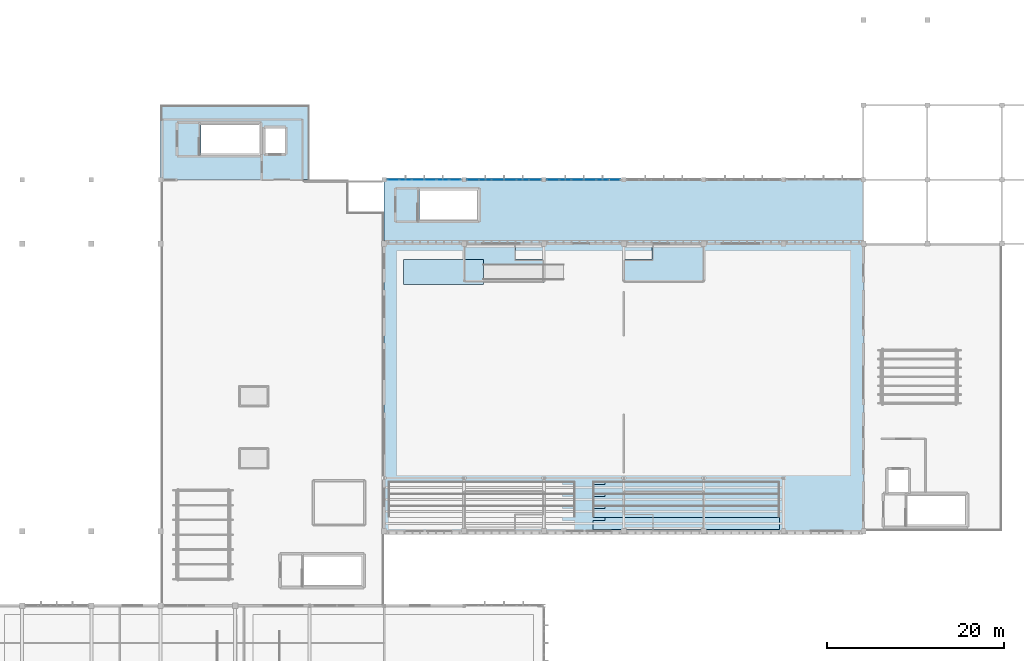
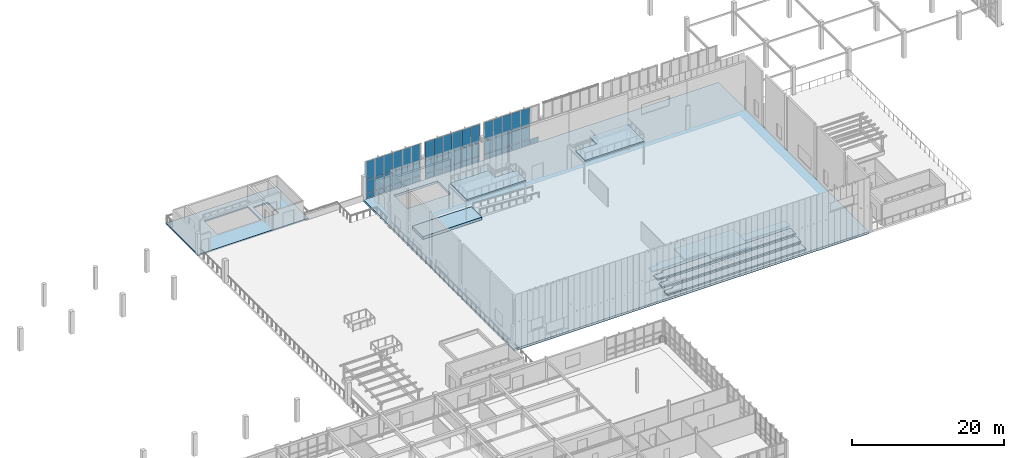
# One storey, part 37 of 67: 52 plates, 10 slabs, 3 elements without a shape of their own.
"""IFC4 building model written with IfcOpenShell, lengths in metres."""

from ifc_helpers import new_model, si_unit, direction, frame, origin, origin_2d, place, context, subcontext, project, spatial, polyline, rectangle, outline, extrude, material, layer, layer_set, type_object, element, aggregate, save


model = new_model("IFC4")

# Units and contexts
model_context = context("Model", 3, precision=1e-05, world=origin(), true_north=direction((0.0, 1.0)))
body_context = subcontext(model_context, "Body", "Model", "MODEL_VIEW")
ifc_project = project(units=[si_unit("LENGTHUNIT", "METRE"), si_unit("AREAUNIT", "SQUARE_METRE"), si_unit("VOLUMEUNIT", "CUBIC_METRE"), si_unit("PLANEANGLEUNIT", "RADIAN"), si_unit("MASSUNIT", "GRAM", prefix="KILO")], contexts=[model_context])

# Site, building, storey
site_placement = place(None, origin())
site = spatial("IfcSite", under=ifc_project, at=site_placement, CompositionType="ELEMENT")
building_placement = place(site_placement, origin())
building = spatial("IfcBuilding", under=site, at=building_placement, Name="Tizgana Railside Sports Hall", CompositionType="ELEMENT")
storey_placement = place(building_placement, frame((0.0, 0.0, 12.0)))
storey = spatial("IfcBuildingStorey", under=building, at=storey_placement, Name="L02", CompositionType="ELEMENT", Elevation=12.0)

# Curtain wall, plates
ifc_material_1 = material(Name="Anodised aluminium and glass", Category="aluminium")
curtain_wall_type_1 = type_object("IfcCurtainWallType", Name="Unitised Curtain Wall Foyer 1300", PredefinedType="NOTDEFINED", material=ifc_material_1)
curtain_wall_1_placement = place(storey_placement, origin())
curtain_wall_1 = element("IfcCurtainWall", 1, at=curtain_wall_1_placement, inside=storey, type_object=curtain_wall_type_1, Name="L02 Curtain Wall CW-0017", PredefinedType="NOTDEFINED")
ifc_material_2 = material(Name="Double low-E laminated glass", Category="glass")
ifc_layer_1 = layer(ifc_material_2, 0.033935546875, Name="Double low-E laminated glass")
ifc_layer_set_1 = layer_set([ifc_layer_1], Name="Double low-E laminated glass")
plate_type_1 = type_object("IfcPlateType", Name="Acoustic Laminated Glazing Panel 34", PredefinedType="CURTAIN_PANEL", material=ifc_layer_set_1)
plate_1_placement = place(storey_placement, frame((80.822998046875, 80.39990234375, 0.05517578125), z_axis=(0.0, 0.0, 1.0), x_axis=(1.0, 0.0, 0.0)))
plate_1 = element("IfcPlate", 2, at=plate_1_placement, type_object=plate_type_1, Name="CW-02 panel 1.1", PredefinedType="CURTAIN_PANEL", context=body_context, shape_type="SweptSolid", body=[
    extrude(rectangle(XDim=1.285888671875, YDim=0.033935546875, at=origin_2d()), origin(), (0.0, 0.0, 1.0), 0.8173828125),
])
plate_2_placement = place(storey_placement, frame((80.822998046875, 80.39990234375, 0.927734375), z_axis=(0.0, 0.0, 1.0), x_axis=(1.0, 0.0, 0.0)))
plate_2 = element("IfcPlate", 3, at=plate_2_placement, type_object=plate_type_1, Name="CW-02 panel 1.2", PredefinedType="CURTAIN_PANEL", context=body_context, shape_type="SweptSolid", body=[
    extrude(rectangle(XDim=1.285888671875, YDim=0.033935546875, at=origin_2d()), origin(), (0.0, 0.0, 1.0), 2.074951171875),
])
plate_3_placement = place(storey_placement, frame((80.822998046875, 80.39990234375, 3.0576171875), z_axis=(0.0, 0.0, 1.0), x_axis=(1.0, 0.0, 0.0)))
plate_3 = element("IfcPlate", 4, at=plate_3_placement, type_object=plate_type_1, Name="CW-02 panel 1.3", PredefinedType="CURTAIN_PANEL", context=body_context, shape_type="SweptSolid", body=[
    extrude(rectangle(XDim=1.285888671875, YDim=0.033935546875, at=origin_2d()), origin(), (0.0, 0.0, 1.0), 2.947509765625),
])
plate_4_placement = place(storey_placement, frame((82.202392578125, 80.39990234375, 0.05517578125), z_axis=(0.0, 0.0, 1.0), x_axis=(1.0, 0.0, 0.0)))
plate_4 = element("IfcPlate", 5, at=plate_4_placement, type_object=plate_type_1, Name="CW-02 panel 2.1", PredefinedType="CURTAIN_PANEL", context=body_context, shape_type="SweptSolid", body=[
    extrude(rectangle(XDim=1.3232421875, YDim=0.033935546875, at=origin_2d()), origin(), (0.0, 0.0, 1.0), 0.8173828125),
])
plate_5_placement = place(storey_placement, frame((82.202392578125, 80.39990234375, 0.927734375), z_axis=(0.0, 0.0, 1.0), x_axis=(1.0, 0.0, 0.0)))
plate_5 = element("IfcPlate", 6, at=plate_5_placement, type_object=plate_type_1, Name="CW-02 panel 2.2", PredefinedType="CURTAIN_PANEL", context=body_context, shape_type="SweptSolid", body=[
    extrude(rectangle(XDim=1.3232421875, YDim=0.033935546875, at=origin_2d()), origin(), (0.0, 0.0, 1.0), 2.074951171875),
])
plate_6_placement = place(storey_placement, frame((82.202392578125, 80.39990234375, 3.0576171875), z_axis=(0.0, 0.0, 1.0), x_axis=(1.0, 0.0, 0.0)))
plate_6 = element("IfcPlate", 7, at=plate_6_placement, type_object=plate_type_1, Name="CW-02 panel 2.3", PredefinedType="CURTAIN_PANEL", context=body_context, shape_type="SweptSolid", body=[
    extrude(rectangle(XDim=1.3232421875, YDim=0.033935546875, at=origin_2d()), origin(), (0.0, 0.0, 1.0), 2.947509765625),
])
plate_7_placement = place(storey_placement, frame((83.600830078125, 80.39990234375, 0.05517578125), z_axis=(0.0, 0.0, 1.0), x_axis=(1.0, 0.0, 0.0)))
plate_7 = element("IfcPlate", 8, at=plate_7_placement, type_object=plate_type_1, Name="CW-02 panel 3.1", PredefinedType="CURTAIN_PANEL", context=body_context, shape_type="SweptSolid", body=[
    extrude(rectangle(XDim=1.3232421875, YDim=0.033935546875, at=origin_2d()), origin(), (0.0, 0.0, 1.0), 0.8173828125),
])
plate_8_placement = place(storey_placement, frame((83.600830078125, 80.39990234375, 0.927734375), z_axis=(0.0, 0.0, 1.0), x_axis=(1.0, 0.0, 0.0)))
plate_8 = element("IfcPlate", 9, at=plate_8_placement, type_object=plate_type_1, Name="CW-02 panel 3.2", PredefinedType="CURTAIN_PANEL", context=body_context, shape_type="SweptSolid", body=[
    extrude(rectangle(XDim=1.3232421875, YDim=0.033935546875, at=origin_2d()), origin(), (0.0, 0.0, 1.0), 2.074951171875),
])
plate_9_placement = place(storey_placement, frame((83.600830078125, 80.39990234375, 3.0576171875), z_axis=(0.0, 0.0, 1.0), x_axis=(1.0, 0.0, 0.0)))
plate_9 = element("IfcPlate", 10, at=plate_9_placement, type_object=plate_type_1, Name="CW-02 panel 3.3", PredefinedType="CURTAIN_PANEL", context=body_context, shape_type="SweptSolid", body=[
    extrude(rectangle(XDim=1.3232421875, YDim=0.033935546875, at=origin_2d()), origin(), (0.0, 0.0, 1.0), 2.947509765625),
])
plate_10_placement = place(storey_placement, frame((84.999267578125, 80.39990234375, 0.05517578125), z_axis=(0.0, 0.0, 1.0), x_axis=(1.0, 0.0, 0.0)))
plate_10 = element("IfcPlate", 11, at=plate_10_placement, type_object=plate_type_1, Name="CW-02 panel 4.1", PredefinedType="CURTAIN_PANEL", context=body_context, shape_type="SweptSolid", body=[
    extrude(rectangle(XDim=1.3232421875, YDim=0.033935546875, at=origin_2d()), origin(), (0.0, 0.0, 1.0), 0.8173828125),
])
plate_11_placement = place(storey_placement, frame((84.999267578125, 80.39990234375, 0.927734375), z_axis=(0.0, 0.0, 1.0), x_axis=(1.0, 0.0, 0.0)))
plate_11 = element("IfcPlate", 12, at=plate_11_placement, type_object=plate_type_1, Name="CW-02 panel 4.2", PredefinedType="CURTAIN_PANEL", context=body_context, shape_type="SweptSolid", body=[
    extrude(rectangle(XDim=1.3232421875, YDim=0.033935546875, at=origin_2d()), origin(), (0.0, 0.0, 1.0), 2.074951171875),
])
plate_12_placement = place(storey_placement, frame((84.999267578125, 80.39990234375, 3.0576171875), z_axis=(0.0, 0.0, 1.0), x_axis=(1.0, 0.0, 0.0)))
plate_12 = element("IfcPlate", 13, at=plate_12_placement, type_object=plate_type_1, Name="CW-02 panel 4.3", PredefinedType="CURTAIN_PANEL", context=body_context, shape_type="SweptSolid", body=[
    extrude(rectangle(XDim=1.3232421875, YDim=0.033935546875, at=origin_2d()), origin(), (0.0, 0.0, 1.0), 2.947509765625),
])
plate_13_placement = place(storey_placement, frame((86.3974609375, 80.39990234375, 0.05517578125), z_axis=(0.0, 0.0, 1.0), x_axis=(1.0, 0.0, 0.0)))
plate_13 = element("IfcPlate", 14, at=plate_13_placement, type_object=plate_type_1, Name="CW-02 panel 5.1", PredefinedType="CURTAIN_PANEL", context=body_context, shape_type="SweptSolid", body=[
    extrude(rectangle(XDim=1.3232421875, YDim=0.033935546875, at=origin_2d()), origin(), (0.0, 0.0, 1.0), 0.8173828125),
])
plate_14_placement = place(storey_placement, frame((86.3974609375, 80.39990234375, 0.927734375), z_axis=(0.0, 0.0, 1.0), x_axis=(1.0, 0.0, 0.0)))
plate_14 = element("IfcPlate", 15, at=plate_14_placement, type_object=plate_type_1, Name="CW-02 panel 5.2", PredefinedType="CURTAIN_PANEL", context=body_context, shape_type="SweptSolid", body=[
    extrude(rectangle(XDim=1.3232421875, YDim=0.033935546875, at=origin_2d()), origin(), (0.0, 0.0, 1.0), 2.074951171875),
])
plate_15_placement = place(storey_placement, frame((86.3974609375, 80.39990234375, 3.0576171875), z_axis=(0.0, 0.0, 1.0), x_axis=(1.0, 0.0, 0.0)))
plate_15 = element("IfcPlate", 16, at=plate_15_placement, type_object=plate_type_1, Name="CW-02 panel 5.3", PredefinedType="CURTAIN_PANEL", context=body_context, shape_type="SweptSolid", body=[
    extrude(rectangle(XDim=1.3232421875, YDim=0.033935546875, at=origin_2d()), origin(), (0.0, 0.0, 1.0), 2.947509765625),
])
plate_16_placement = place(storey_placement, frame((87.777099609375, 80.39990234375, 0.05517578125), z_axis=(0.0, 0.0, 1.0), x_axis=(1.0, 0.0, 0.0)))
plate_16 = element("IfcPlate", 17, at=plate_16_placement, type_object=plate_type_1, Name="CW-02 panel 6.1", PredefinedType="CURTAIN_PANEL", context=body_context, shape_type="SweptSolid", body=[
    extrude(rectangle(XDim=1.285888671875, YDim=0.033935546875, at=origin_2d()), origin(), (0.0, 0.0, 1.0), 0.8173828125),
])
plate_17_placement = place(storey_placement, frame((87.777099609375, 80.39990234375, 0.927734375), z_axis=(0.0, 0.0, 1.0), x_axis=(1.0, 0.0, 0.0)))
plate_17 = element("IfcPlate", 18, at=plate_17_placement, type_object=plate_type_1, Name="CW-02 panel 6.2", PredefinedType="CURTAIN_PANEL", context=body_context, shape_type="SweptSolid", body=[
    extrude(rectangle(XDim=1.285888671875, YDim=0.033935546875, at=origin_2d()), origin(), (0.0, 0.0, 1.0), 2.074951171875),
])
plate_18_placement = place(storey_placement, frame((87.777099609375, 80.39990234375, 3.0576171875), z_axis=(0.0, 0.0, 1.0), x_axis=(1.0, 0.0, 0.0)))
plate_18 = element("IfcPlate", 19, at=plate_18_placement, type_object=plate_type_1, Name="CW-02 panel 6.3", PredefinedType="CURTAIN_PANEL", context=body_context, shape_type="SweptSolid", body=[
    extrude(rectangle(XDim=1.285888671875, YDim=0.033935546875, at=origin_2d()), origin(), (0.0, 0.0, 1.0), 2.947509765625),
])
aggregate(curtain_wall_1, [plate_1, plate_2, plate_3, plate_4, plate_5, plate_6, plate_7, plate_8, plate_9, plate_10, plate_11, plate_12, plate_13, plate_14, plate_15, plate_16, plate_17, plate_18])

# Slab
ifc_material_3 = material(Name="Concrete C35/45", Category="concrete")
ifc_layer_2 = layer(ifc_material_3, 0.219970703125, Name="Concrete C35/45")
ifc_layer_set_2 = layer_set([ifc_layer_2], Name="Concrete C35/45")
slab_type_1 = type_object("IfcSlabType", Name="Core Lobby Suspended Slab 220", PredefinedType="FLOOR", material=ifc_layer_set_2)
slab_1_placement = place(storey_placement, frame((0.0, 0.0, -0.219970703125)))
element("IfcSlab", 20, at=slab_1_placement, inside=storey, type_object=slab_type_1, Name="L02 L02 C4 Core Lobby Slab SLB-0033", PredefinedType="FLOOR", context=body_context, shape_type="SweptSolid", body=[
    extrude(outline(polyline([(54.60009765625, 80.39990234375), (71.39990234375, 80.39990234375), (71.39990234375, 88.800048828125), (54.60009765625, 88.800048828125), (54.60009765625, 80.39990234375)]), holes=[polyline([(59.179931640625, 83.199951171875), (65.800048828125, 83.199951171875), (65.800048828125, 86.699951171875), (59.179931640625, 86.699951171875), (59.179931640625, 83.199951171875)]), polyline([(66.39990234375, 83.39990234375), (68.60009765625, 83.39990234375), (68.60009765625, 86.199951171875), (66.39990234375, 86.199951171875), (66.39990234375, 83.39990234375)])]), origin(), (0.0, 0.0, 1.0), 0.219970703125),
])

# Curtain wall, plates
curtain_wall_type_2 = type_object("IfcCurtainWallType", Name="Unitised Curtain Wall WestHall 1560", PredefinedType="NOTDEFINED", material=ifc_material_1)
curtain_wall_2_placement = place(storey_placement, origin())
curtain_wall_2 = element("IfcCurtainWall", 21, at=curtain_wall_2_placement, inside=storey, type_object=curtain_wall_type_2, Name="L02 Curtain Wall CW-0022", PredefinedType="NOTDEFINED")
ifc_layer_3 = layer(ifc_material_2, 0.0400390625, Name="Double low-E laminated glass")
ifc_layer_set_3 = layer_set([ifc_layer_3], Name="Double low-E laminated glass")
plate_type_2 = type_object("IfcPlateType", Name="High-Span Tempered Glazing Panel 40", PredefinedType="CURTAIN_PANEL", material=ifc_layer_set_3)
plate_19_placement = place(storey_placement, frame((98.82177734375, 80.39990234375, 0.070068359375), z_axis=(0.0, 0.0, 1.0), x_axis=(1.0, 0.0, 0.0)))
plate_19 = element("IfcPlate", 22, at=plate_19_placement, type_object=plate_type_2, Name="CW-07 panel 1.1", PredefinedType="CURTAIN_PANEL", context=body_context, shape_type="SweptSolid", body=[
    extrude(rectangle(XDim=1.293212890625, YDim=0.0400390625, at=origin_2d()), origin(), (0.0, 0.0, 1.0), 0.794921875),
])
plate_20_placement = place(storey_placement, frame((98.82177734375, 80.39990234375, 0.93505859375), z_axis=(0.0, 0.0, 1.0), x_axis=(1.0, 0.0, 0.0)))
plate_20 = element("IfcPlate", 23, at=plate_20_placement, type_object=plate_type_2, Name="CW-07 panel 1.2", PredefinedType="CURTAIN_PANEL", context=body_context, shape_type="SweptSolid", body=[
    extrude(rectangle(XDim=1.293212890625, YDim=0.0400390625, at=origin_2d()), origin(), (0.0, 0.0, 1.0), 2.06005859375),
])
plate_21_placement = place(storey_placement, frame((98.82177734375, 80.39990234375, 3.06494140625), z_axis=(0.0, 0.0, 1.0), x_axis=(1.0, 0.0, 0.0)))
plate_21 = element("IfcPlate", 24, at=plate_21_placement, type_object=plate_type_2, Name="CW-07 panel 1.3", PredefinedType="CURTAIN_PANEL", context=body_context, shape_type="SweptSolid", body=[
    extrude(rectangle(XDim=1.293212890625, YDim=0.0400390625, at=origin_2d()), origin(), (0.0, 0.0, 1.0), 2.925048828125),
])
plate_22_placement = place(storey_placement, frame((100.202392578125, 80.39990234375, 0.070068359375), z_axis=(0.0, 0.0, 1.0), x_axis=(1.0, 0.0, 0.0)))
plate_22 = element("IfcPlate", 25, at=plate_22_placement, type_object=plate_type_2, Name="CW-07 panel 2.1", PredefinedType="CURTAIN_PANEL", context=body_context, shape_type="SweptSolid", body=[
    extrude(rectangle(XDim=1.328369140625, YDim=0.0400390625, at=origin_2d()), origin(), (0.0, 0.0, 1.0), 0.794921875),
])
plate_23_placement = place(storey_placement, frame((100.202392578125, 80.39990234375, 0.93505859375), z_axis=(0.0, 0.0, 1.0), x_axis=(1.0, 0.0, 0.0)))
plate_23 = element("IfcPlate", 26, at=plate_23_placement, type_object=plate_type_2, Name="CW-07 panel 2.2", PredefinedType="CURTAIN_PANEL", context=body_context, shape_type="SweptSolid", body=[
    extrude(rectangle(XDim=1.328369140625, YDim=0.0400390625, at=origin_2d()), origin(), (0.0, 0.0, 1.0), 2.06005859375),
])
plate_24_placement = place(storey_placement, frame((100.202392578125, 80.39990234375, 3.06494140625), z_axis=(0.0, 0.0, 1.0), x_axis=(1.0, 0.0, 0.0)))
plate_24 = element("IfcPlate", 27, at=plate_24_placement, type_object=plate_type_2, Name="CW-07 panel 2.3", PredefinedType="CURTAIN_PANEL", context=body_context, shape_type="SweptSolid", body=[
    extrude(rectangle(XDim=1.328369140625, YDim=0.0400390625, at=origin_2d()), origin(), (0.0, 0.0, 1.0), 2.925048828125),
])
plate_25_placement = place(storey_placement, frame((101.600830078125, 80.39990234375, 0.070068359375), z_axis=(0.0, 0.0, 1.0), x_axis=(1.0, 0.0, 0.0)))
plate_25 = element("IfcPlate", 28, at=plate_25_placement, type_object=plate_type_2, Name="CW-07 panel 3.1", PredefinedType="CURTAIN_PANEL", context=body_context, shape_type="SweptSolid", body=[
    extrude(rectangle(XDim=1.328369140625, YDim=0.0400390625, at=origin_2d()), origin(), (0.0, 0.0, 1.0), 0.794921875),
])
plate_26_placement = place(storey_placement, frame((101.600830078125, 80.39990234375, 0.93505859375), z_axis=(0.0, 0.0, 1.0), x_axis=(1.0, 0.0, 0.0)))
plate_26 = element("IfcPlate", 29, at=plate_26_placement, type_object=plate_type_2, Name="CW-07 panel 3.2", PredefinedType="CURTAIN_PANEL", context=body_context, shape_type="SweptSolid", body=[
    extrude(rectangle(XDim=1.328369140625, YDim=0.0400390625, at=origin_2d()), origin(), (0.0, 0.0, 1.0), 2.06005859375),
])
plate_27_placement = place(storey_placement, frame((101.600830078125, 80.39990234375, 3.06494140625), z_axis=(0.0, 0.0, 1.0), x_axis=(1.0, 0.0, 0.0)))
plate_27 = element("IfcPlate", 30, at=plate_27_placement, type_object=plate_type_2, Name="CW-07 panel 3.3", PredefinedType="CURTAIN_PANEL", context=body_context, shape_type="SweptSolid", body=[
    extrude(rectangle(XDim=1.328369140625, YDim=0.0400390625, at=origin_2d()), origin(), (0.0, 0.0, 1.0), 2.925048828125),
])
plate_28_placement = place(storey_placement, frame((102.999267578125, 80.39990234375, 0.070068359375), z_axis=(0.0, 0.0, 1.0), x_axis=(1.0, 0.0, 0.0)))
plate_28 = element("IfcPlate", 31, at=plate_28_placement, type_object=plate_type_2, Name="CW-07 panel 4.1", PredefinedType="CURTAIN_PANEL", context=body_context, shape_type="SweptSolid", body=[
    extrude(rectangle(XDim=1.328369140625, YDim=0.0400390625, at=origin_2d()), origin(), (0.0, 0.0, 1.0), 0.794921875),
])
plate_29_placement = place(storey_placement, frame((102.999267578125, 80.39990234375, 0.93505859375), z_axis=(0.0, 0.0, 1.0), x_axis=(1.0, 0.0, 0.0)))
plate_29 = element("IfcPlate", 32, at=plate_29_placement, type_object=plate_type_2, Name="CW-07 panel 4.2", PredefinedType="CURTAIN_PANEL", context=body_context, shape_type="SweptSolid", body=[
    extrude(rectangle(XDim=1.328369140625, YDim=0.0400390625, at=origin_2d()), origin(), (0.0, 0.0, 1.0), 2.06005859375),
])
plate_30_placement = place(storey_placement, frame((102.999267578125, 80.39990234375, 3.06494140625), z_axis=(0.0, 0.0, 1.0), x_axis=(1.0, 0.0, 0.0)))
plate_30 = element("IfcPlate", 33, at=plate_30_placement, type_object=plate_type_2, Name="CW-07 panel 4.3", PredefinedType="CURTAIN_PANEL", context=body_context, shape_type="SweptSolid", body=[
    extrude(rectangle(XDim=1.328369140625, YDim=0.0400390625, at=origin_2d()), origin(), (0.0, 0.0, 1.0), 2.925048828125),
])
plate_31_placement = place(storey_placement, frame((104.3974609375, 80.39990234375, 0.070068359375), z_axis=(0.0, 0.0, 1.0), x_axis=(1.0, 0.0, 0.0)))
plate_31 = element("IfcPlate", 34, at=plate_31_placement, type_object=plate_type_2, Name="CW-07 panel 5.1", PredefinedType="CURTAIN_PANEL", context=body_context, shape_type="SweptSolid", body=[
    extrude(rectangle(XDim=1.328369140625, YDim=0.0400390625, at=origin_2d()), origin(), (0.0, 0.0, 1.0), 0.794921875),
])
plate_32_placement = place(storey_placement, frame((104.3974609375, 80.39990234375, 0.93505859375), z_axis=(0.0, 0.0, 1.0), x_axis=(1.0, 0.0, 0.0)))
plate_32 = element("IfcPlate", 35, at=plate_32_placement, type_object=plate_type_2, Name="CW-07 panel 5.2", PredefinedType="CURTAIN_PANEL", context=body_context, shape_type="SweptSolid", body=[
    extrude(rectangle(XDim=1.328369140625, YDim=0.0400390625, at=origin_2d()), origin(), (0.0, 0.0, 1.0), 2.06005859375),
])
plate_33_placement = place(storey_placement, frame((104.3974609375, 80.39990234375, 3.06494140625), z_axis=(0.0, 0.0, 1.0), x_axis=(1.0, 0.0, 0.0)))
plate_33 = element("IfcPlate", 36, at=plate_33_placement, type_object=plate_type_2, Name="CW-07 panel 5.3", PredefinedType="CURTAIN_PANEL", context=body_context, shape_type="SweptSolid", body=[
    extrude(rectangle(XDim=1.328369140625, YDim=0.0400390625, at=origin_2d()), origin(), (0.0, 0.0, 1.0), 2.925048828125),
])
plate_34_placement = place(storey_placement, frame((105.7783203125, 80.39990234375, 0.070068359375), z_axis=(0.0, 0.0, 1.0), x_axis=(1.0, 0.0, 0.0)))
plate_34 = element("IfcPlate", 37, at=plate_34_placement, type_object=plate_type_2, Name="CW-07 panel 6.1", PredefinedType="CURTAIN_PANEL", context=body_context, shape_type="SweptSolid", body=[
    extrude(rectangle(XDim=1.293212890625, YDim=0.0400390625, at=origin_2d()), origin(), (0.0, 0.0, 1.0), 0.794921875),
])
aggregate(curtain_wall_2, [plate_19, plate_20, plate_21, plate_22, plate_23, plate_24, plate_25, plate_26, plate_27, plate_28, plate_29, plate_30, plate_31, plate_32, plate_33, plate_34])

curtain_wall_type_3 = type_object("IfcCurtainWallType", Name="Unitised Curtain Wall Climbing 1600", PredefinedType="NOTDEFINED", material=ifc_material_1)
curtain_wall_3_placement = place(storey_placement, origin())
curtain_wall_3 = element("IfcCurtainWall", 38, at=curtain_wall_3_placement, inside=storey, type_object=curtain_wall_type_3, Name="L02 Curtain Wall CW-0019", PredefinedType="NOTDEFINED")
ifc_layer_4 = layer(ifc_material_2, 0.031982421875, Name="Double low-E laminated glass")
ifc_layer_set_4 = layer_set([ifc_layer_4], Name="Double low-E laminated glass")
plate_type_3 = type_object("IfcPlateType", Name="North-Light Clerestory Glazing Panel 32", PredefinedType="CURTAIN_PANEL", material=ifc_layer_set_4)
plate_35_placement = place(storey_placement, frame((89.819091796875, 80.39990234375, 0.06005859375), z_axis=(0.0, 0.0, 1.0), x_axis=(1.0, 0.0, 0.0)))
plate_35 = element("IfcPlate", 39, at=plate_35_placement, type_object=plate_type_3, Name="CW-04 panel 1.1", PredefinedType="CURTAIN_PANEL", context=body_context, shape_type="SweptSolid", body=[
    extrude(rectangle(XDim=1.308349609375, YDim=0.031982421875, at=origin_2d()), origin(), (0.0, 0.0, 1.0), 0.81005859375),
])
plate_36_placement = place(storey_placement, frame((89.819091796875, 80.39990234375, 0.93017578125), z_axis=(0.0, 0.0, 1.0), x_axis=(1.0, 0.0, 0.0)))
plate_36 = element("IfcPlate", 40, at=plate_36_placement, type_object=plate_type_3, Name="CW-04 panel 1.2", PredefinedType="CURTAIN_PANEL", context=body_context, shape_type="SweptSolid", body=[
    extrude(rectangle(XDim=1.308349609375, YDim=0.031982421875, at=origin_2d()), origin(), (0.0, 0.0, 1.0), 2.070068359375),
])
plate_37_placement = place(storey_placement, frame((89.819091796875, 80.39990234375, 3.06005859375), z_axis=(0.0, 0.0, 1.0), x_axis=(1.0, 0.0, 0.0)))
plate_37 = element("IfcPlate", 41, at=plate_37_placement, type_object=plate_type_3, Name="CW-04 panel 1.3", PredefinedType="CURTAIN_PANEL", context=body_context, shape_type="SweptSolid", body=[
    extrude(rectangle(XDim=1.308349609375, YDim=0.031982421875, at=origin_2d()), origin(), (0.0, 0.0, 1.0), 2.93994140625),
])
plate_38_placement = place(storey_placement, frame((91.202392578125, 80.39990234375, 0.06005859375), z_axis=(0.0, 0.0, 1.0), x_axis=(1.0, 0.0, 0.0)))
plate_38 = element("IfcPlate", 42, at=plate_38_placement, type_object=plate_type_3, Name="CW-04 panel 2.1", PredefinedType="CURTAIN_PANEL", context=body_context, shape_type="SweptSolid", body=[
    extrude(rectangle(XDim=1.33837890625, YDim=0.031982421875, at=origin_2d()), origin(), (0.0, 0.0, 1.0), 0.81005859375),
])
plate_39_placement = place(storey_placement, frame((91.202392578125, 80.39990234375, 0.93017578125), z_axis=(0.0, 0.0, 1.0), x_axis=(1.0, 0.0, 0.0)))
plate_39 = element("IfcPlate", 43, at=plate_39_placement, type_object=plate_type_3, Name="CW-04 panel 2.2", PredefinedType="CURTAIN_PANEL", context=body_context, shape_type="SweptSolid", body=[
    extrude(rectangle(XDim=1.33837890625, YDim=0.031982421875, at=origin_2d()), origin(), (0.0, 0.0, 1.0), 2.070068359375),
])
plate_40_placement = place(storey_placement, frame((91.202392578125, 80.39990234375, 3.06005859375), z_axis=(0.0, 0.0, 1.0), x_axis=(1.0, 0.0, 0.0)))
plate_40 = element("IfcPlate", 44, at=plate_40_placement, type_object=plate_type_3, Name="CW-04 panel 2.3", PredefinedType="CURTAIN_PANEL", context=body_context, shape_type="SweptSolid", body=[
    extrude(rectangle(XDim=1.33837890625, YDim=0.031982421875, at=origin_2d()), origin(), (0.0, 0.0, 1.0), 2.93994140625),
])
plate_41_placement = place(storey_placement, frame((92.600830078125, 80.39990234375, 0.06005859375), z_axis=(0.0, 0.0, 1.0), x_axis=(1.0, 0.0, 0.0)))
plate_41 = element("IfcPlate", 45, at=plate_41_placement, type_object=plate_type_3, Name="CW-04 panel 3.1", PredefinedType="CURTAIN_PANEL", context=body_context, shape_type="SweptSolid", body=[
    extrude(rectangle(XDim=1.33837890625, YDim=0.031982421875, at=origin_2d()), origin(), (0.0, 0.0, 1.0), 0.81005859375),
])
plate_42_placement = place(storey_placement, frame((92.600830078125, 80.39990234375, 0.93017578125), z_axis=(0.0, 0.0, 1.0), x_axis=(1.0, 0.0, 0.0)))
plate_42 = element("IfcPlate", 46, at=plate_42_placement, type_object=plate_type_3, Name="CW-04 panel 3.2", PredefinedType="CURTAIN_PANEL", context=body_context, shape_type="SweptSolid", body=[
    extrude(rectangle(XDim=1.33837890625, YDim=0.031982421875, at=origin_2d()), origin(), (0.0, 0.0, 1.0), 2.070068359375),
])
plate_43_placement = place(storey_placement, frame((92.600830078125, 80.39990234375, 3.06005859375), z_axis=(0.0, 0.0, 1.0), x_axis=(1.0, 0.0, 0.0)))
plate_43 = element("IfcPlate", 47, at=plate_43_placement, type_object=plate_type_3, Name="CW-04 panel 3.3", PredefinedType="CURTAIN_PANEL", context=body_context, shape_type="SweptSolid", body=[
    extrude(rectangle(XDim=1.33837890625, YDim=0.031982421875, at=origin_2d()), origin(), (0.0, 0.0, 1.0), 2.93994140625),
])
plate_44_placement = place(storey_placement, frame((93.999267578125, 80.39990234375, 0.06005859375), z_axis=(0.0, 0.0, 1.0), x_axis=(1.0, 0.0, 0.0)))
plate_44 = element("IfcPlate", 48, at=plate_44_placement, type_object=plate_type_3, Name="CW-04 panel 4.1", PredefinedType="CURTAIN_PANEL", context=body_context, shape_type="SweptSolid", body=[
    extrude(rectangle(XDim=1.33837890625, YDim=0.031982421875, at=origin_2d()), origin(), (0.0, 0.0, 1.0), 0.81005859375),
])
plate_45_placement = place(storey_placement, frame((93.999267578125, 80.39990234375, 0.93017578125), z_axis=(0.0, 0.0, 1.0), x_axis=(1.0, 0.0, 0.0)))
plate_45 = element("IfcPlate", 49, at=plate_45_placement, type_object=plate_type_3, Name="CW-04 panel 4.2", PredefinedType="CURTAIN_PANEL", context=body_context, shape_type="SweptSolid", body=[
    extrude(rectangle(XDim=1.33837890625, YDim=0.031982421875, at=origin_2d()), origin(), (0.0, 0.0, 1.0), 2.070068359375),
])
plate_46_placement = place(storey_placement, frame((93.999267578125, 80.39990234375, 3.06005859375), z_axis=(0.0, 0.0, 1.0), x_axis=(1.0, 0.0, 0.0)))
plate_46 = element("IfcPlate", 50, at=plate_46_placement, type_object=plate_type_3, Name="CW-04 panel 4.3", PredefinedType="CURTAIN_PANEL", context=body_context, shape_type="SweptSolid", body=[
    extrude(rectangle(XDim=1.33837890625, YDim=0.031982421875, at=origin_2d()), origin(), (0.0, 0.0, 1.0), 2.93994140625),
])
plate_47_placement = place(storey_placement, frame((95.3974609375, 80.39990234375, 0.06005859375), z_axis=(0.0, 0.0, 1.0), x_axis=(1.0, 0.0, 0.0)))
plate_47 = element("IfcPlate", 51, at=plate_47_placement, type_object=plate_type_3, Name="CW-04 panel 5.1", PredefinedType="CURTAIN_PANEL", context=body_context, shape_type="SweptSolid", body=[
    extrude(rectangle(XDim=1.33837890625, YDim=0.031982421875, at=origin_2d()), origin(), (0.0, 0.0, 1.0), 0.81005859375),
])
plate_48_placement = place(storey_placement, frame((95.3974609375, 80.39990234375, 0.93017578125), z_axis=(0.0, 0.0, 1.0), x_axis=(1.0, 0.0, 0.0)))
plate_48 = element("IfcPlate", 52, at=plate_48_placement, type_object=plate_type_3, Name="CW-04 panel 5.2", PredefinedType="CURTAIN_PANEL", context=body_context, shape_type="SweptSolid", body=[
    extrude(rectangle(XDim=1.33837890625, YDim=0.031982421875, at=origin_2d()), origin(), (0.0, 0.0, 1.0), 2.070068359375),
])
plate_49_placement = place(storey_placement, frame((95.3974609375, 80.39990234375, 3.06005859375), z_axis=(0.0, 0.0, 1.0), x_axis=(1.0, 0.0, 0.0)))
plate_49 = element("IfcPlate", 53, at=plate_49_placement, type_object=plate_type_3, Name="CW-04 panel 5.3", PredefinedType="CURTAIN_PANEL", context=body_context, shape_type="SweptSolid", body=[
    extrude(rectangle(XDim=1.33837890625, YDim=0.031982421875, at=origin_2d()), origin(), (0.0, 0.0, 1.0), 2.93994140625),
])
plate_50_placement = place(storey_placement, frame((96.78076171875, 80.39990234375, 0.06005859375), z_axis=(0.0, 0.0, 1.0), x_axis=(1.0, 0.0, 0.0)))
plate_50 = element("IfcPlate", 54, at=plate_50_placement, type_object=plate_type_3, Name="CW-04 panel 6.1", PredefinedType="CURTAIN_PANEL", context=body_context, shape_type="SweptSolid", body=[
    extrude(rectangle(XDim=1.308349609375, YDim=0.031982421875, at=origin_2d()), origin(), (0.0, 0.0, 1.0), 0.81005859375),
])
plate_51_placement = place(storey_placement, frame((96.78076171875, 80.39990234375, 0.93017578125), z_axis=(0.0, 0.0, 1.0), x_axis=(1.0, 0.0, 0.0)))
plate_51 = element("IfcPlate", 55, at=plate_51_placement, type_object=plate_type_3, Name="CW-04 panel 6.2", PredefinedType="CURTAIN_PANEL", context=body_context, shape_type="SweptSolid", body=[
    extrude(rectangle(XDim=1.308349609375, YDim=0.031982421875, at=origin_2d()), origin(), (0.0, 0.0, 1.0), 2.070068359375),
])
plate_52_placement = place(storey_placement, frame((96.78076171875, 80.39990234375, 3.06005859375), z_axis=(0.0, 0.0, 1.0), x_axis=(1.0, 0.0, 0.0)))
plate_52 = element("IfcPlate", 56, at=plate_52_placement, type_object=plate_type_3, Name="CW-04 panel 6.3", PredefinedType="CURTAIN_PANEL", context=body_context, shape_type="SweptSolid", body=[
    extrude(rectangle(XDim=1.308349609375, YDim=0.031982421875, at=origin_2d()), origin(), (0.0, 0.0, 1.0), 2.93994140625),
])
aggregate(curtain_wall_3, [plate_35, plate_36, plate_37, plate_38, plate_39, plate_40, plate_41, plate_42, plate_43, plate_44, plate_45, plate_46, plate_47, plate_48, plate_49, plate_50, plate_51, plate_52])

# Slabs
ifc_material_4 = material(Name="Concrete C40/50", Category="concrete")
ifc_layer_5 = layer(ifc_material_4, 0.360107421875, Name="Concrete C40/50")
ifc_layer_set_5 = layer_set([ifc_layer_5], Name="Concrete C40/50")
slab_type_2 = type_object("IfcSlabType", Name="Post-Tensioned Court Transfer Slab 360", PredefinedType="FLOOR", material=ifc_layer_set_5)
slab_2_placement = place(storey_placement, frame((0.0, 0.0, -0.360107421875)))
element("IfcSlab", 57, at=slab_2_placement, inside=storey, type_object=slab_type_2, Name="L02 V2 PT Transfer Court 3 Slab SLB-0027", PredefinedType="FLOOR", context=body_context, shape_type="SweptSolid", body=[
    extrude(outline(polyline([(79.800048828125, 40.800048828125), (133.800048828125, 40.800048828125), (133.800048828125, 80.39990234375), (79.800048828125, 80.39990234375), (79.800048828125, 40.800048828125)]), holes=[polyline([(83.780029296875, 75.800048828125), (90.39990234375, 75.800048828125), (90.39990234375, 79.300048828125), (83.780029296875, 79.300048828125), (83.780029296875, 75.800048828125)])]), origin(), (0.0, 0.0, 1.0), 0.360107421875),
])
ifc_material_5 = material(Name="Precast concrete C40/50", Category="concrete")
ifc_layer_6 = layer(ifc_material_5, 0.2099609375, Name="Precast concrete C40/50")
ifc_layer_set_6 = layer_set([ifc_layer_6], Name="Precast concrete C40/50")
slab_type_3 = type_object("IfcSlabType", Name="Spectator Seating Tier Slab 210", PredefinedType="USERDEFINED", material=ifc_layer_set_6)
slab_3_placement = place(storey_placement, frame((0.0, 0.0, 0.2099609375)))
element("IfcSlab", 58, at=slab_3_placement, inside=storey, type_object=slab_type_3, Name="L02 Court 3 South Stand E1 SLB-0064", ObjectType="SEATING_TIER", PredefinedType="USERDEFINED", context=body_context, shape_type="SweptSolid", body=[
    extrude(outline(polyline([(103.300048828125, 41.0), (124.35009765625, 41.0), (124.35009765625, 42.35009765625), (104.699951171875, 42.35009765625), (104.699951171875, 42.0), (103.300048828125, 42.0), (103.300048828125, 41.0)])), origin(), (0.0, 0.0, 1.0), 0.2099609375),
])
slab_4_placement = place(storey_placement, frame((0.0, 0.0, 0.6298828125)))
element("IfcSlab", 59, at=slab_4_placement, inside=storey, type_object=slab_type_3, Name="L02 Court 3 South Stand E2 SLB-0066", ObjectType="SEATING_TIER", PredefinedType="USERDEFINED", context=body_context, shape_type="SweptSolid", body=[
    extrude(outline(polyline([(103.300048828125, 42.35009765625), (124.35009765625, 42.35009765625), (124.35009765625, 43.699951171875), (104.699951171875, 43.699951171875), (104.699951171875, 43.35009765625), (103.300048828125, 43.35009765625), (103.300048828125, 42.35009765625)])), origin(), (0.0, 0.0, 1.0), 0.210205078125),
])
ifc_layer_7 = layer(ifc_material_3, 0.22998046875, Name="Concrete C35/45")
ifc_layer_set_7 = layer_set([ifc_layer_7], Name="Concrete C35/45")
slab_type_4 = type_object("IfcSlabType", Name="Suspended Gallery Floor Slab 230", PredefinedType="FLOOR", material=ifc_layer_set_7)
slab_5_placement = place(storey_placement, frame((0.0, 0.0, 3.669921875)))
element("IfcSlab", 60, at=slab_5_placement, inside=storey, type_object=slab_type_4, Name="L02 V2 Court3 Catwalk SE SLB-0124", PredefinedType="FLOOR", context=body_context, shape_type="SweptSolid", body=[
    extrude(outline(polyline([(110.0, 40.800048828125), (115.800048828125, 40.800048828125), (115.800048828125, 45.39990234375), (106.800048828125, 45.39990234375), (106.800048828125, 42.60009765625), (110.0, 42.60009765625), (110.0, 40.800048828125)])), origin(), (0.0, 0.0, 1.0), 0.22998046875),
])
slab_6_placement = place(storey_placement, frame((0.0, 0.0, 3.669921875)))
element("IfcSlab", 61, at=slab_6_placement, inside=storey, type_object=slab_type_4, Name="L02 V2 Court3 Catwalk NW SLB-0125", PredefinedType="FLOOR", context=body_context, shape_type="SweptSolid", body=[
    extrude(outline(polyline([(88.800048828125, 68.800048828125), (97.800048828125, 68.800048828125), (97.800048828125, 71.39990234375), (94.60009765625, 71.39990234375), (94.60009765625, 73.199951171875), (88.800048828125, 73.199951171875), (88.800048828125, 68.800048828125)])), origin(), (0.0, 0.0, 1.0), 0.22998046875),
])
slab_7_placement = place(storey_placement, frame((0.0, 0.0, 3.669921875)))
element("IfcSlab", 62, at=slab_7_placement, inside=storey, type_object=slab_type_4, Name="L02 V2 Court3 Catwalk NE SLB-0126", PredefinedType="FLOOR", context=body_context, shape_type="SweptSolid", body=[
    extrude(outline(polyline([(106.800048828125, 68.800048828125), (115.800048828125, 68.800048828125), (115.800048828125, 73.199951171875), (110.0, 73.199951171875), (110.0, 71.39990234375), (106.800048828125, 71.39990234375), (106.800048828125, 68.800048828125)])), origin(), (0.0, 0.0, 1.0), 0.22998046875),
])
slab_8_placement = place(storey_placement, origin())
element("IfcSlab", 63, at=slab_8_placement, inside=storey, type_object=slab_type_4, Name="L02 Wheelchair Viewing Platform 3", PredefinedType="FLOOR", context=body_context, shape_type="SweptSolid", body=[
    extrude(outline(polyline([(82.0, 68.60009765625), (91.0, 68.60009765625), (91.0, 71.39990234375), (82.0, 71.39990234375), (82.0, 68.60009765625)])), origin(), (0.0, 0.0, 1.0), 0.449951171875),
])
ifc_layer_8 = layer(ifc_material_5, 0.18994140625, Name="Precast concrete C40/50")
ifc_layer_set_8 = layer_set([ifc_layer_8], Name="Precast concrete C40/50")
slab_type_5 = type_object("IfcSlabType", Name="Upper Bowl Seating Tier Slab 190", PredefinedType="USERDEFINED", material=ifc_layer_set_8)
slab_9_placement = place(storey_placement, frame((0.0, 0.0, 1.070068359375)))
element("IfcSlab", 64, at=slab_9_placement, inside=storey, type_object=slab_type_5, Name="L02 Court 3 South Stand E3 SLB-0068", ObjectType="SEATING_TIER", PredefinedType="USERDEFINED", context=body_context, shape_type="SweptSolid", body=[
    extrude(outline(polyline([(103.300048828125, 43.699951171875), (124.35009765625, 43.699951171875), (124.35009765625, 45.050048828125), (104.699951171875, 45.050048828125), (104.699951171875, 44.699951171875), (103.300048828125, 44.699951171875), (103.300048828125, 43.699951171875)])), origin(), (0.0, 0.0, 1.0), 0.18994140625),
])
slab_10_placement = place(storey_placement, frame((0.0, 0.0, 1.489990234375)))
element("IfcSlab", 65, at=slab_10_placement, inside=storey, type_object=slab_type_5, Name="L02 Court 3 South Stand E4 SLB-0070", ObjectType="SEATING_TIER", PredefinedType="USERDEFINED", context=body_context, shape_type="SweptSolid", body=[
    extrude(outline(polyline([(103.300048828125, 45.050048828125), (124.35009765625, 45.050048828125), (124.35009765625, 46.39990234375), (104.699951171875, 46.39990234375), (104.699951171875, 46.050048828125), (103.300048828125, 46.050048828125), (103.300048828125, 45.050048828125)])), origin(), (0.0, 0.0, 1.0), 0.18994140625),
])

save(model, "model.ifc")
